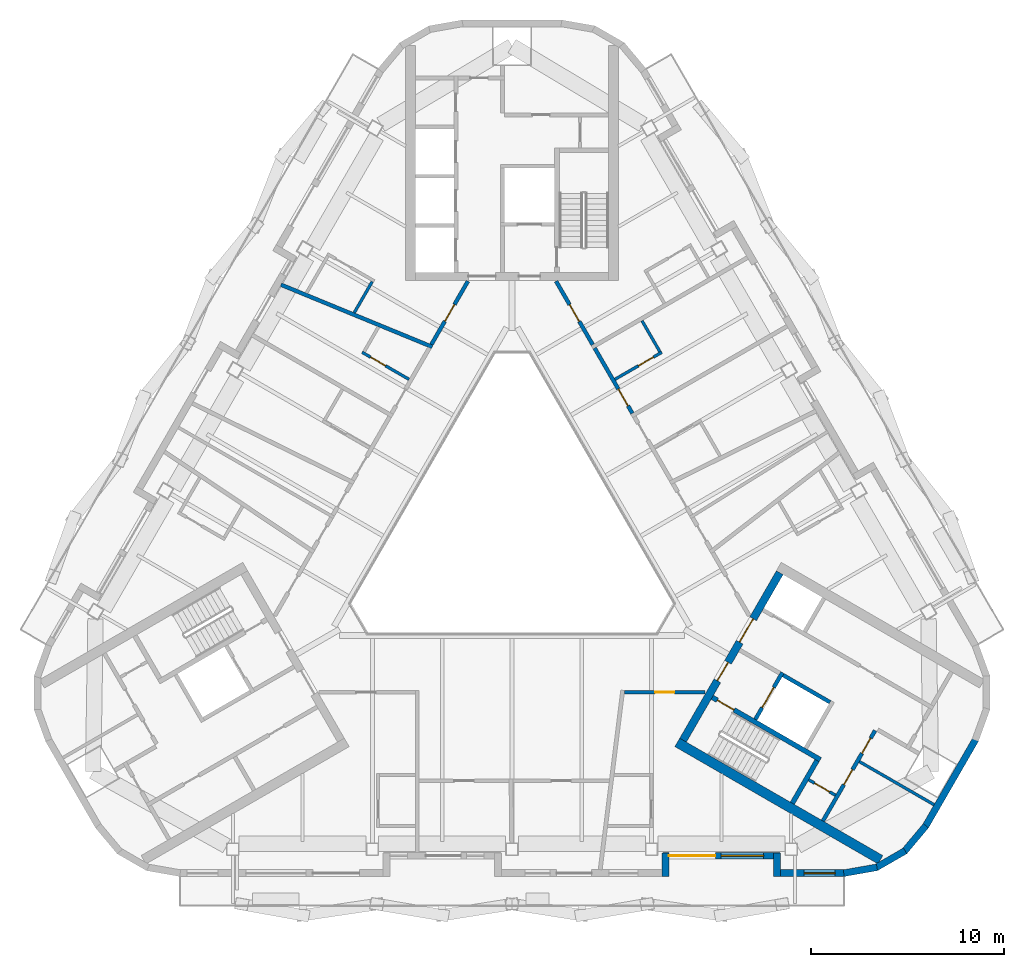
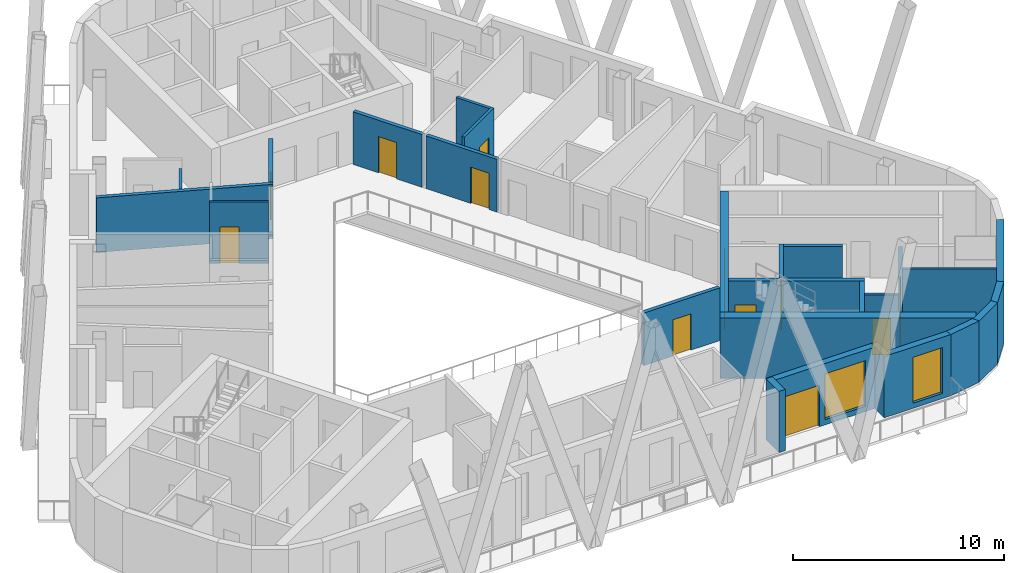
# One storey, part 5 of 13: 26 walls, 14 doors, 2 windows, 16 openings.
"""IFC4 building model written with IfcOpenShell, lengths in metres."""

from ifc_helpers import new_model, si_unit, direction, frame, frame_2d, origin, place, context, subcontext, project, spatial, rectangle, extrude, material, layer, layer_set, type_object, element, fill, save


model = new_model("IFC4")

# Units and contexts
model_context = context("Model", 3, precision=1e-05, world=origin(), true_north=direction((0.0, 1.0)))
body_context = subcontext(model_context, "Body", "Model", "MODEL_VIEW")
ifc_project = project(units=[si_unit("LENGTHUNIT", "METRE"), si_unit("AREAUNIT", "SQUARE_METRE"), si_unit("VOLUMEUNIT", "CUBIC_METRE"), si_unit("PLANEANGLEUNIT", "RADIAN"), si_unit("MASSUNIT", "GRAM", prefix="KILO")], contexts=[model_context])

# Site, building, storey
site_placement = place(None, origin())
site = spatial("IfcSite", under=ifc_project, at=site_placement, CompositionType="ELEMENT")
building_placement = place(site_placement, origin())
building = spatial("IfcBuilding", under=site, at=building_placement, Name="Apuvela Tower Hotel", CompositionType="ELEMENT")
storey_placement = place(building_placement, frame((0.0, 0.0, 280.0)))
storey = spatial("IfcBuildingStorey", under=building, at=storey_placement, Name="L69", CompositionType="ELEMENT", Elevation=280.0)

# Wall, openings, doors
ifc_material_1 = material(Name="Concrete C50/60", Category="concrete")
ifc_layer_1 = layer(ifc_material_1, 0.39990234375)
ifc_layer_set_1 = layer_set([ifc_layer_1], Name="COR-WALL-CORE-400")
wall_type_1 = type_object("IfcWallType", Name="COR-WALL-CORE-400", PredefinedType="SHEAR", material=ifc_layer_set_1)
wall_1_placement = place(storey_placement, frame((8.844970703125, -10.880126953125, 0.0), z_axis=(0.0, 0.0, 1.0), x_axis=(0.500004234368, 0.866022959057, 0.0)))
wall_1 = element("IfcWall", 1, at=wall_1_placement, inside=storey, type_object=wall_type_1, Name="Core wall SE", PredefinedType="SHEAR", context=body_context, shape_type="SweptSolid", body=[
    extrude(rectangle(XDim=10.0, YDim=0.39990234375, at=frame_2d((5.0, 0.0))), origin(), (0.0, 0.0, 1.0), 3.5),
])
opening_1_placement = place(wall_1_placement, frame((3.550048828125, 0.0, 0.0)))
opening_1 = element("IfcOpeningElement", 2, at=opening_1_placement, cuts=wall_1, Name="Opening E-FD", PredefinedType="OPENING", context=body_context, shape_type="SweptSolid", body=[
    extrude(rectangle(XDim=1.10009765625, YDim=2.10009765625, at=frame_2d((0.550048828125, 1.050048828125))), frame((0.0, 0.2099609375, 0.0), z_axis=(0.0, -1.0, 0.0), x_axis=(1.0, 0.0, 0.0)), (0.0, 0.0, 1.0), 0.419921875),
])
opening_2_placement = place(wall_1_placement, frame((5.85009765625, 0.0, 0.0)))
opening_2 = element("IfcOpeningElement", 3, at=opening_2_placement, cuts=wall_1, Name="Opening E-GD", PredefinedType="OPENING", context=body_context, shape_type="SweptSolid", body=[
    extrude(rectangle(XDim=1.39990234375, YDim=2.10009765625, at=frame_2d((0.699951171875, 1.050048828125))), frame((0.0, 0.2099609375, 0.0), z_axis=(0.0, -1.0, 0.0), x_axis=(1.0, 0.0, 0.0)), (0.0, 0.0, 1.0), 0.419921875),
])
ifc_material_2 = material(Name="Steel fire door, powder coated", Category="steel")
door_type_1 = type_object("IfcDoorType", Name="COR-FD-1100", OperationType="NOTDEFINED", PredefinedType="DOOR", material=ifc_material_2)
door_1_placement = place(opening_1_placement, frame((1.10009765625, 0.0, 0.0), z_axis=(0.0, 0.0, 1.0), x_axis=(-1.0, 0.0, 0.0)))
door_1 = element("IfcDoor", 4, at=door_1_placement, inside=storey, type_object=door_type_1, Name="Firefighting lobby door E-FD", OperationType="SINGLE_SWING_LEFT", OverallHeight=2.10009765625, OverallWidth=1.10009765625, PredefinedType="DOOR", context=body_context, shape_type="SweptSolid", body=[
    extrude(rectangle(XDim=1.10009765625, YDim=2.10009765625, at=frame_2d((0.550048828125, 1.050048828125))), frame((0.0, 0.02490234375, 0.0), z_axis=(0.0, -1.0, 0.0), x_axis=(1.0, 0.0, 0.0)), (0.0, 0.0, 1.0), 0.050048828125),
])
fill(opening_1, door_1)
ifc_material_3 = material(Name="Glazed steel fire door", Category="steel")
door_type_2 = type_object("IfcDoorType", Name="COR-GD-1400", OperationType="DOUBLE_DOOR_SINGLE_SWING", PredefinedType="DOOR", material=ifc_material_3)
door_2_placement = place(opening_2_placement, frame((1.39990234375, 0.0, 0.0), z_axis=(0.0, 0.0, 1.0), x_axis=(-1.0, 0.0, 0.0)))
door_2 = element("IfcDoor", 5, at=door_2_placement, inside=storey, type_object=door_type_2, Name="Lift lobby door E-GD", OperationType="DOUBLE_DOOR_SINGLE_SWING", OverallHeight=2.10009765625, OverallWidth=1.39990234375, PredefinedType="DOOR", context=body_context, shape_type="SweptSolid", body=[
    extrude(rectangle(XDim=1.39990234375, YDim=2.10009765625, at=frame_2d((0.699951171875, 1.050048828125))), frame((0.0, 0.02490234375, 0.0), z_axis=(0.0, -1.0, 0.0), x_axis=(1.0, 0.0, 0.0)), (0.0, 0.0, 1.0), 0.050048828125),
])
fill(opening_2, door_2)

# Wall
ifc_layer_2 = layer(ifc_material_1, 0.5)
ifc_layer_set_2 = layer_set([ifc_layer_2], Name="COR-WALL-CORE-500")
wall_type_2 = type_object("IfcWallType", Name="COR-WALL-CORE-500", PredefinedType="SHEAR", material=ifc_layer_set_2)
wall_2_placement = place(storey_placement, frame((8.546630859375, -10.99658203125, 0.0), z_axis=(0.0, 0.0, 1.0), x_axis=(0.866024688907, -0.500001238203, 0.0)))
element("IfcWall", 6, at=wall_2_placement, inside=storey, type_object=wall_type_2, Name="Core wall SE", PredefinedType="SHEAR", context=body_context, shape_type="SweptSolid", body=[
    extrude(rectangle(XDim=12.12890625, YDim=0.5, at=frame_2d((6.064453125, 0.0))), origin(), (0.0, 0.0, 1.0), 3.5),
])

# Wall, opening, door
ifc_material_4 = material(Name="Blockwork 150 mm plastered", Category="masonry")
ifc_layer_3 = layer(ifc_material_4, 0.14990234375)
ifc_layer_set_3 = layer_set([ifc_layer_3], Name="COR-WALL-PART-150")
wall_type_3 = type_object("IfcWallType", Name="COR-WALL-PART-150", PredefinedType="PARTITIONING", material=ifc_layer_set_3)
wall_3_placement = place(storey_placement, frame((15.341552734375, -12.927734375, 0.0), z_axis=(0.0, 0.0, 1.0), x_axis=(0.865989903783, -0.500061482766, 0.0)))
wall_3 = element("IfcWall", 7, at=wall_3_placement, inside=storey, type_object=wall_type_3, Name="Partition SE", PredefinedType="PARTITIONING", context=body_context, shape_type="SweptSolid", body=[
    extrude(rectangle(XDim=1.599853515625, YDim=0.14990234375, at=frame_2d((0.7998046875, 0.0))), origin(), (0.0, 0.0, 1.0), 3.5),
])
opening_3_placement = place(wall_3_placement, frame((0.35009765625, 0.0, 0.0)))
opening_3 = element("IfcOpeningElement", 8, at=opening_3_placement, cuts=wall_3, Name="Opening E-RD", PredefinedType="OPENING", context=body_context, shape_type="SweptSolid", body=[
    extrude(rectangle(XDim=0.89990234375, YDim=2.10009765625, at=frame_2d((0.449951171875, 1.050048828125))), frame((0.0, 0.0849609375, 0.0), z_axis=(0.0, -1.0, 0.0), x_axis=(1.0, 0.0, 0.0)), (0.0, 0.0, 1.0), 0.169921875),
])
ifc_material_5 = material(Name="Steel access door, powder coated", Category="steel")
door_type_3 = type_object("IfcDoorType", Name="COR-RD-900", OperationType="NOTDEFINED", PredefinedType="DOOR", material=ifc_material_5)
door_3_placement = place(opening_3_placement, frame((0.89990234375, 0.0, 0.0), z_axis=(0.0, 0.0, 1.0), x_axis=(-1.0, 0.0, 0.0)))
door_3 = element("IfcDoor", 9, at=door_3_placement, inside=storey, type_object=door_type_3, Name="Riser door E-RD", OperationType="SINGLE_SWING_LEFT", OverallHeight=2.10009765625, OverallWidth=0.89990234375, PredefinedType="DOOR", context=body_context, shape_type="SweptSolid", body=[
    extrude(rectangle(XDim=0.89990234375, YDim=2.10009765625, at=frame_2d((0.449951171875, 1.050048828125))), frame((0.0, 0.02490234375, 0.0), z_axis=(0.0, -1.0, 0.0), x_axis=(1.0, 0.0, 0.0)), (0.0, 0.0, 1.0), 0.050048828125),
])
fill(opening_3, door_3)

# Wall
wall_4_placement = place(storey_placement, frame((17.962890625, -11.9873046875, 0.0), z_axis=(0.0, 0.0, 1.0), x_axis=(0.866010510293, -0.500025795397, 0.0)))
element("IfcWall", 10, at=wall_4_placement, inside=storey, type_object=wall_type_3, Name="Partition SE", PredefinedType="PARTITIONING", context=body_context, shape_type="SweptSolid", body=[
    extrude(rectangle(XDim=4.458740234375, YDim=0.14990234375, at=frame_2d((2.2294921875, 0.0))), origin(), (0.0, 0.0, 1.0), 3.5),
])

# Wall, openings, doors
ifc_material_6 = material(Name="Blockwork 200 mm plastered", Category="masonry")
ifc_layer_4 = layer(ifc_material_6, 0.199951171875)
ifc_layer_set_4 = layer_set([ifc_layer_4], Name="COR-WALL-PART-200")
wall_type_4 = type_object("IfcWallType", Name="COR-WALL-PART-200", PredefinedType="PARTITIONING", material=ifc_layer_set_4)
wall_5_placement = place(storey_placement, frame((16.076171875, -15.05517578125, 0.0), z_axis=(0.0, 0.0, 1.0), x_axis=(0.499995103361, 0.866028230842, 0.0)))
wall_5 = element("IfcWall", 11, at=wall_5_placement, inside=storey, type_object=wall_type_4, Name="Partition SE", PredefinedType="PARTITIONING", context=body_context, shape_type="SweptSolid", body=[
    extrude(rectangle(XDim=5.39990234375, YDim=0.199951171875, at=frame_2d((2.699951171875, 0.0))), origin(), (0.0, 0.0, 1.0), 3.5),
])
opening_4_placement = place(wall_5_placement, frame((2.16259765625, 0.0, 0.0)))
opening_4 = element("IfcOpeningElement", 12, at=opening_4_placement, cuts=wall_5, Name="Opening E-RS1", PredefinedType="OPENING", context=body_context, shape_type="SweptSolid", body=[
    extrude(rectangle(XDim=0.89990234375, YDim=2.10009765625, at=frame_2d((0.449951171875, 1.050048828125))), frame((0.0, 0.10986328125, 0.0), z_axis=(0.0, -1.0, 0.0), x_axis=(1.0, 0.0, 0.0)), (0.0, 0.0, 1.0), 0.219970703125),
])
opening_5_placement = place(wall_5_placement, frame((4.03759765625, 0.0, 0.0)))
opening_5 = element("IfcOpeningElement", 13, at=opening_5_placement, cuts=wall_5, Name="Opening E-RS2", PredefinedType="OPENING", context=body_context, shape_type="SweptSolid", body=[
    extrude(rectangle(XDim=0.89990234375, YDim=2.10009765625, at=frame_2d((0.449951171875, 1.050048828125))), frame((0.0, 0.10986328125, 0.0), z_axis=(0.0, -1.0, 0.0), x_axis=(1.0, 0.0, 0.0)), (0.0, 0.0, 1.0), 0.219970703125),
])
door_type_4 = type_object("IfcDoorType", Name="COR-DR-900", OperationType="NOTDEFINED", PredefinedType="DOOR", material=ifc_material_2)
door_4_placement = place(opening_4_placement, frame((0.89990234375, 0.0, 0.0), z_axis=(0.0, 0.0, 1.0), x_axis=(-1.0, 0.0, 0.0)))
door_4 = element("IfcDoor", 14, at=door_4_placement, inside=storey, type_object=door_type_4, Name="Store door E-RS1", OperationType="SINGLE_SWING_LEFT", OverallHeight=2.10009765625, OverallWidth=0.89990234375, PredefinedType="DOOR", context=body_context, shape_type="SweptSolid", body=[
    extrude(rectangle(XDim=0.89990234375, YDim=2.10009765625, at=frame_2d((0.449951171875, 1.050048828125))), frame((0.0, 0.02490234375, 0.0), z_axis=(0.0, -1.0, 0.0), x_axis=(1.0, 0.0, 0.0)), (0.0, 0.0, 1.0), 0.050048828125),
])
fill(opening_4, door_4)
door_5_placement = place(opening_5_placement, frame((0.89990234375, 0.0, 0.0), z_axis=(0.0, 0.0, 1.0), x_axis=(-1.0, 0.0, 0.0)))
door_5 = element("IfcDoor", 15, at=door_5_placement, inside=storey, type_object=door_type_4, Name="Store door E-RS2", OperationType="SINGLE_SWING_LEFT", OverallHeight=2.10009765625, OverallWidth=0.89990234375, PredefinedType="DOOR", context=body_context, shape_type="SweptSolid", body=[
    extrude(rectangle(XDim=0.89990234375, YDim=2.10009765625, at=frame_2d((0.449951171875, 1.050048828125))), frame((0.0, 0.02490234375, 0.0), z_axis=(0.0, -1.0, 0.0), x_axis=(1.0, 0.0, 0.0)), (0.0, 0.0, 1.0), 0.050048828125),
])
fill(opening_5, door_5)

# Wall, opening, door
ifc_layer_5 = layer(ifc_material_1, 0.199951171875)
ifc_layer_set_5 = layer_set([ifc_layer_5], Name="COR-WALL-SHAFT-200")
wall_type_5 = type_object("IfcWallType", Name="COR-WALL-SHAFT-200", PredefinedType="SHEAR", material=ifc_layer_set_5)
wall_6_placement = place(storey_placement, frame((12.583251953125, -9.805419921875, 0.0), z_axis=(0.0, 0.0, 1.0), x_axis=(0.49994636267, 0.866056369097, 0.0)))
wall_6 = element("IfcWall", 16, at=wall_6_placement, inside=storey, type_object=wall_type_5, Name="Shaft wall SE", PredefinedType="SHEAR", context=body_context, shape_type="SweptSolid", body=[
    extrude(rectangle(XDim=2.800048828125, YDim=0.199951171875, at=frame_2d((1.39990234375, 0.0))), origin(), (0.0, 0.0, 1.0), 3.5),
])
opening_6_placement = place(wall_6_placement, frame((0.699951171875, 0.0, 0.0)))
opening_6 = element("IfcOpeningElement", 17, at=opening_6_placement, cuts=wall_6, Name="Opening E-LD-FS3", PredefinedType="OPENING", context=body_context, shape_type="SweptSolid", body=[
    extrude(rectangle(XDim=1.199951171875, YDim=2.10009765625, at=frame_2d((0.60009765625, 1.050048828125))), frame((0.0, 0.10986328125, 0.0), z_axis=(0.0, -1.0, 0.0), x_axis=(1.0, 0.0, 0.0)), (0.0, 0.0, 1.0), 0.219970703125),
])
ifc_material_7 = material(Name="Stainless steel lift landing door", Category="steel")
door_type_5 = type_object("IfcDoorType", Name="COR-LD-1200", OperationType="DOUBLE_DOOR_SLIDING", PredefinedType="DOOR", material=ifc_material_7)
door_6_placement = place(opening_6_placement, origin())
door_6 = element("IfcDoor", 18, at=door_6_placement, inside=storey, type_object=door_type_5, Name="Lift landing door E-LD-FS3", OperationType="DOUBLE_DOOR_SLIDING", OverallHeight=2.10009765625, OverallWidth=1.199951171875, PredefinedType="DOOR", context=body_context, shape_type="SweptSolid", body=[
    extrude(rectangle(XDim=1.199951171875, YDim=2.10009765625, at=frame_2d((0.60009765625, 1.050048828125))), frame((0.0, 0.02490234375, 0.0), z_axis=(0.0, -1.0, 0.0), x_axis=(1.0, 0.0, 0.0)), (0.0, 0.0, 1.0), 0.050048828125),
])
fill(opening_6, door_6)

# Wall
wall_7_placement = place(storey_placement, frame((14.019775390625, -7.51708984375, 0.0), z_axis=(0.0, 0.0, 1.0), x_axis=(0.866034573852, -0.49998411664, 0.0)))
element("IfcWall", 19, at=wall_7_placement, inside=storey, type_object=wall_type_5, Name="Shaft wall SE", PredefinedType="SHEAR", context=body_context, shape_type="SweptSolid", body=[
    extrude(rectangle(XDim=2.7998046875, YDim=0.199951171875, at=frame_2d((1.39990234375, 0.0))), origin(), (0.0, 0.0, 1.0), 3.5),
])

# Wall, opening, door
ifc_layer_6 = layer(ifc_material_1, 0.25)
ifc_layer_set_6 = layer_set([ifc_layer_6], Name="COR-WALL-STAIR-250")
wall_type_6 = type_object("IfcWallType", Name="COR-WALL-STAIR-250", PredefinedType="SHEAR", material=ifc_layer_set_6)
wall_8_placement = place(storey_placement, frame((10.355712890625, -8.66357421875, 0.0), z_axis=(0.0, 0.0, 1.0), x_axis=(0.866028629588, -0.499994412703, 0.0)))
wall_8 = element("IfcWall", 20, at=wall_8_placement, inside=storey, type_object=wall_type_6, Name="Stair wall SE", PredefinedType="SHEAR", context=body_context, shape_type="SweptSolid", body=[
    extrude(rectangle(XDim=6.44970703125, YDim=0.25, at=frame_2d((3.224853515625, 0.0))), origin(), (0.0, 0.0, 1.0), 3.5),
])
opening_7_placement = place(wall_8_placement, frame((0.300048828125, 0.0, 0.0)))
opening_7 = element("IfcOpeningElement", 21, at=opening_7_placement, cuts=wall_8, Name="Opening E-SD", PredefinedType="OPENING", context=body_context, shape_type="SweptSolid", body=[
    extrude(rectangle(XDim=1.0, YDim=2.10009765625, at=frame_2d((0.5, 1.050048828125))), frame((0.0, 0.135009765625, 0.0), z_axis=(0.0, -1.0, 0.0), x_axis=(1.0, 0.0, 0.0)), (0.0, 0.0, 1.0), 0.27001953125),
])
door_type_6 = type_object("IfcDoorType", Name="COR-SD-1000", OperationType="NOTDEFINED", PredefinedType="DOOR", material=ifc_material_2)
door_7_placement = place(opening_7_placement, frame((1.0, 0.0, 0.0), z_axis=(0.0, 0.0, 1.0), x_axis=(-1.0, 0.0, 0.0)))
door_7 = element("IfcDoor", 22, at=door_7_placement, inside=storey, type_object=door_type_6, Name="Stair door E-SD", OperationType="SINGLE_SWING_LEFT", OverallHeight=2.10009765625, OverallWidth=1.0, PredefinedType="DOOR", context=body_context, shape_type="SweptSolid", body=[
    extrude(rectangle(XDim=1.0, YDim=2.10009765625, at=frame_2d((0.5, 1.050048828125))), frame((0.0, 0.02490234375, 0.0), z_axis=(0.0, -1.0, 0.0), x_axis=(1.0, 0.0, 0.0)), (0.0, 0.0, 1.0), 0.050048828125),
])
fill(opening_7, door_7)

# Walls
wall_9_placement = place(storey_placement, frame((14.49560546875, -14.142578125, 0.0), z_axis=(0.0, 0.0, 1.0), x_axis=(0.500062241894, 0.865989465428, 0.0)))
element("IfcWall", 23, at=wall_9_placement, inside=storey, type_object=wall_type_6, Name="Stair wall SE", PredefinedType="SHEAR", context=body_context, shape_type="SweptSolid", body=[
    extrude(rectangle(XDim=2.550048828125, YDim=0.25, at=frame_2d((1.27490234375, 0.0))), origin(), (0.0, 0.0, 1.0), 3.5),
])
ifc_material_8 = material(Name="Concrete C40/50, dark pigmented precast panel", Category="concrete")
ifc_layer_7 = layer(ifc_material_8, 0.35009765625)
ifc_layer_set_7 = layer_set([ifc_layer_7], Name="ENV-WALL-350")
wall_type_7 = type_object("IfcWallType", Name="ENV-WALL-350", PredefinedType="SOLIDWALL", material=ifc_layer_set_7)
wall_10_placement = place(storey_placement, frame((7.9404296875, -17.9287109375, 0.0), z_axis=(0.0, 0.0, 1.0), x_axis=(0.0, 1.0, 0.0)))
element("IfcWall", 24, at=wall_10_placement, inside=storey, type_object=wall_type_7, Name="External wall L69-22", PredefinedType="SOLIDWALL", context=body_context, shape_type="SweptSolid", body=[
    extrude(rectangle(XDim=1.219970703125, YDim=0.35009765625, at=frame_2d((0.60986328125, 0.0))), origin(), (0.0, 0.0, 1.0), 3.550048828125),
])

# Wall, openings, door, window
wall_11_placement = place(storey_placement, frame((7.79541015625, -16.853759765625, 0.0), z_axis=(0.0, 0.0, 1.0), x_axis=(1.0, 0.0, 0.0)))
wall_11 = element("IfcWall", 25, at=wall_11_placement, inside=storey, type_object=wall_type_7, Name="External wall L69-23", PredefinedType="SOLIDWALL", context=body_context, shape_type="SweptSolid", body=[
    extrude(rectangle(XDim=6.05517578125, YDim=0.35009765625, at=frame_2d((3.027587890625, 0.0))), origin(), (0.0, 0.0, 1.0), 3.550048828125),
])
opening_8_placement = place(wall_11_placement, frame((0.3203125, 0.0, 0.0)))
opening_8 = element("IfcOpeningElement", 26, at=opening_8_placement, cuts=wall_11, Name="Opening BD24", PredefinedType="OPENING", context=body_context, shape_type="SweptSolid", body=[
    extrude(rectangle(XDim=2.39990234375, YDim=2.39990234375, at=frame_2d((1.199951171875, 1.199951171875))), frame((0.0, 0.18505859375, 0.0), z_axis=(0.0, -1.0, 0.0), x_axis=(1.0, 0.0, 0.0)), (0.0, 0.0, 1.0), 0.3701171875),
])
opening_9_placement = place(wall_11_placement, frame((3.020263671875, 0.0, 0.300048828125)))
opening_9 = element("IfcOpeningElement", 27, at=opening_9_placement, cuts=wall_11, Name="Opening WN22", PredefinedType="OPENING", context=body_context, shape_type="SweptSolid", body=[
    extrude(rectangle(XDim=2.199951171875, YDim=2.64990234375, at=frame_2d((1.10009765625, 1.324951171875))), frame((0.0, 0.18505859375, 0.0), z_axis=(0.0, -1.0, 0.0), x_axis=(1.0, 0.0, 0.0)), (0.0, 0.0, 1.0), 0.3701171875),
])
ifc_material_9 = material(Name="Aluminium 6063-T6, dark bronze anodised frame with dark tinted laminated glass", Category="aluminium")
door_type_7 = type_object("IfcDoorType", Name="ENV-DOOR-BALCONY-2400x2400", OperationType="SLIDING_TO_LEFT", PredefinedType="DOOR", material=ifc_material_9)
door_8_placement = place(opening_8_placement, frame((2.39990234375, 0.0, 0.0), z_axis=(0.0, 0.0, 1.0), x_axis=(-1.0, 0.0, 0.0)))
door_8 = element("IfcDoor", 28, at=door_8_placement, inside=storey, type_object=door_type_7, Name="Balcony door BD24", OperationType="SLIDING_TO_LEFT", OverallHeight=2.39990234375, OverallWidth=2.39990234375, PredefinedType="DOOR", context=body_context, shape_type="SweptSolid", body=[
    extrude(rectangle(XDim=2.39990234375, YDim=2.39990234375, at=frame_2d((1.199951171875, 1.199951171875))), frame((0.0, 0.02490234375, 0.0), z_axis=(0.0, -1.0, 0.0), x_axis=(1.0, 0.0, 0.0)), (0.0, 0.0, 1.0), 0.050048828125),
])
fill(opening_8, door_8)
ifc_material_10 = material(Name="Glass, dark tinted laminated insulated glazing unit", Category="glass")
window_type_1 = type_object("IfcWindowType", Name="ENV-WIN-2200x2650", PartitioningType="SINGLE_PANEL", PredefinedType="WINDOW", material=ifc_material_10)
window_1_placement = place(opening_9_placement, origin())
window_1 = element("IfcWindow", 29, at=window_1_placement, inside=storey, type_object=window_type_1, Name="Window WN22", OverallHeight=2.64990234375, OverallWidth=2.199951171875, PartitioningType="SINGLE_PANEL", PredefinedType="WINDOW", context=body_context, shape_type="SweptSolid", body=[
    extrude(rectangle(XDim=2.199951171875, YDim=2.64990234375, at=frame_2d((1.10009765625, 1.324951171875))), frame((0.0, 0.030029296875, 0.0), z_axis=(0.0, -1.0, 0.0), x_axis=(1.0, 0.0, 0.0)), (0.0, 0.0, 1.0), 0.06005859375),
])
fill(opening_9, window_1)

# Wall
wall_12_placement = place(storey_placement, frame((13.705810546875, -16.708740234375, 0.0), z_axis=(0.0, 0.0, 1.0), x_axis=(0.0, -1.0, 0.0)))
element("IfcWall", 30, at=wall_12_placement, inside=storey, type_object=wall_type_7, Name="External wall L69-24", PredefinedType="SOLIDWALL", context=body_context, shape_type="SweptSolid", body=[
    extrude(rectangle(XDim=1.219970703125, YDim=0.35009765625, at=frame_2d((0.60986328125, 0.0))), origin(), (0.0, 0.0, 1.0), 3.550048828125),
])

# Wall, opening, window
wall_13_placement = place(storey_placement, frame((13.53076171875, -17.753662109375, 0.0), z_axis=(0.0, 0.0, 1.0), x_axis=(1.0, 0.0, 0.0)))
wall_13 = element("IfcWall", 31, at=wall_13_placement, inside=storey, type_object=wall_type_7, Name="External wall L69-25", PredefinedType="SOLIDWALL", context=body_context, shape_type="SweptSolid", body=[
    extrude(rectangle(XDim=3.654296875, YDim=0.35009765625, at=frame_2d((1.8271484375, 0.0))), origin(), (0.0, 0.0, 1.0), 3.550048828125),
])
opening_10_placement = place(wall_13_placement, frame((1.5751953125, 0.0, 0.300048828125)))
opening_10 = element("IfcOpeningElement", 32, at=opening_10_placement, cuts=wall_13, Name="Opening WN16", PredefinedType="OPENING", context=body_context, shape_type="SweptSolid", body=[
    extrude(rectangle(XDim=1.60009765625, YDim=2.64990234375, at=frame_2d((0.800048828125, 1.324951171875))), frame((0.0, 0.18505859375, 0.0), z_axis=(0.0, -1.0, 0.0), x_axis=(1.0, 0.0, 0.0)), (0.0, 0.0, 1.0), 0.3701171875),
])
window_type_2 = type_object("IfcWindowType", Name="ENV-WIN-1600x2650", PartitioningType="SINGLE_PANEL", PredefinedType="WINDOW", material=ifc_material_10)
window_2_placement = place(opening_10_placement, origin())
window_2 = element("IfcWindow", 33, at=window_2_placement, inside=storey, type_object=window_type_2, Name="Window WN16", OverallHeight=2.64990234375, OverallWidth=1.60009765625, PartitioningType="SINGLE_PANEL", PredefinedType="WINDOW", context=body_context, shape_type="SweptSolid", body=[
    extrude(rectangle(XDim=1.60009765625, YDim=2.64990234375, at=frame_2d((0.800048828125, 1.324951171875))), frame((0.0, 0.030029296875, 0.0), z_axis=(0.0, -1.0, 0.0), x_axis=(1.0, 0.0, 0.0)), (0.0, 0.0, 1.0), 0.06005859375),
])
fill(opening_10, window_2)

# Walls
for number, where, z_axis, x_axis, name in (
    (34, (17.15478515625, -17.75634765625, 0.0), (0.0, 0.0, 1.0), (0.984803276474, 0.173673563465, 0.0), "External wall L69-26"),
    (35, (18.815673828125, -17.47412109375, 0.0), (0.0, 0.0, 1.0), (0.86609937154, 0.499871862198, 0.0), "External wall L69-27"),
    (36, (20.280029296875, -16.64111328125, 0.0), (0.0, 0.0, 1.0), (0.642768607723, 0.766060387258, 0.0), "External wall L69-28"),
):
    element("IfcWall", number, at=place(storey_placement, frame(where, z_axis=z_axis, x_axis=x_axis)), inside=storey, type_object=wall_type_7, Name=name, PredefinedType="SOLIDWALL", context=body_context, shape_type="SweptSolid", body=[
        extrude(rectangle(XDim=1.74462890625, YDim=0.35009765625, at=frame_2d((0.872314453125, 0.0))), origin(), (0.0, 0.0, 1.0), 3.550048828125),
    ])
wall_14_placement = place(storey_placement, frame((21.3837890625, -15.32958984375, 0.0), z_axis=(0.0, 0.0, 1.0), x_axis=(0.500020983425, 0.866013288659, 0.0)))
element("IfcWall", 37, at=wall_14_placement, inside=storey, type_object=wall_type_7, Name="External wall L69-29", PredefinedType="SOLIDWALL", context=body_context, shape_type="SweptSolid", body=[
    extrude(rectangle(XDim=5.167724609375, YDim=0.35009765625, at=frame_2d((2.583984375, 0.0))), origin(), (0.0, 0.0, 1.0), 3.550048828125),
])
ifc_material_11 = material(Name="Gypsum board partition on twin steel stud", Category="steel")
ifc_layer_8 = layer(ifc_material_11, 0.199951171875)
ifc_layer_set_8 = layer_set([ifc_layer_8], Name="GST-PW1")
wall_type_8 = type_object("IfcWallType", Name="GST-PW1", PredefinedType="PARTITIONING", material=ifc_layer_set_8)
wall_15_placement = place(storey_placement, frame((-11.943603515625, 12.67041015625, 0.0), z_axis=(0.0, 0.0, 1.0), x_axis=(0.924897439871, -0.380216682591, 0.0)))
element("IfcWall", 38, at=wall_15_placement, inside=storey, type_object=wall_type_8, Name="L69 partition 08", PredefinedType="PARTITIONING", context=body_context, shape_type="SweptSolid", body=[
    extrude(rectangle(XDim=8.4541015625, YDim=0.199951171875, at=frame_2d((4.22705078125, 0.0))), origin(), (0.0, 0.0, 1.0), 3.159912109375),
])

# Wall, opening, door
ifc_material_12 = material(Name="Gypsum board corridor wall on twin steel stud, acoustic", Category="steel")
ifc_layer_9 = layer(ifc_material_12, 0.199951171875)
ifc_layer_set_9 = layer_set([ifc_layer_9], Name="GST-PW2")
wall_type_9 = type_object("IfcWallType", Name="GST-PW2", PredefinedType="PARTITIONING", material=ifc_layer_set_9)
wall_16_placement = place(storey_placement, frame((9.98828125, -8.39990234375, 0.0), z_axis=(0.0, 0.0, 1.0), x_axis=(-1.0, 0.0, 0.0)))
wall_16 = element("IfcWall", 39, at=wall_16_placement, inside=storey, type_object=wall_type_9, Name="L69 partition 18", PredefinedType="PARTITIONING", context=body_context, shape_type="SweptSolid", body=[
    extrude(rectangle(XDim=4.175048828125, YDim=0.199951171875, at=frame_2d((2.08740234375, 0.0))), origin(), (0.0, 0.0, 1.0), 3.050048828125),
])
opening_11_placement = place(wall_16_placement, frame((1.58740234375, 0.0, 0.0)))
opening_11 = element("IfcOpeningElement", 40, at=opening_11_placement, cuts=wall_16, Name="Opening GD28-06", PredefinedType="OPENING", context=body_context, shape_type="SweptSolid", body=[
    extrude(rectangle(XDim=1.0, YDim=2.10009765625, at=frame_2d((0.5, 1.050048828125))), frame((0.0, 0.10986328125, 0.0), z_axis=(0.0, -1.0, 0.0), x_axis=(1.0, 0.0, 0.0)), (0.0, 0.0, 1.0), 0.219970703125),
])
ifc_material_13 = material(Name="Timber door leaf in steel frame", Category="steel")
door_type_8 = type_object("IfcDoorType", Name="GST-D1", OperationType="NOTDEFINED", PredefinedType="DOOR", material=ifc_material_13)
door_9_placement = place(opening_11_placement, origin())
door_9 = element("IfcDoor", 41, at=door_9_placement, inside=storey, type_object=door_type_8, Name="Door L69-06", OperationType="SINGLE_SWING_RIGHT", OverallHeight=2.10009765625, OverallWidth=1.0, PredefinedType="DOOR", context=body_context, shape_type="SweptSolid", body=[
    extrude(rectangle(XDim=1.0, YDim=2.10009765625, at=frame_2d((0.5, 1.050048828125))), frame((0.0, 0.02490234375, 0.0), z_axis=(0.0, -1.0, 0.0), x_axis=(1.0, 0.0, 0.0)), (0.0, 0.0, 1.0), 0.050048828125),
])
fill(opening_11, door_9)

wall_17_placement = place(storey_placement, frame((4.274658203125, 9.396240234375, 0.0), z_axis=(0.0, 0.0, 1.0), x_axis=(0.499997012787, -0.866027128446, 0.0)))
wall_17 = element("IfcWall", 42, at=wall_17_placement, inside=storey, type_object=wall_type_9, Name="L69 partition 32", PredefinedType="PARTITIONING", context=body_context, shape_type="SweptSolid", body=[
    extrude(rectangle(XDim=3.89990234375, YDim=0.199951171875, at=frame_2d((1.949951171875, 0.0))), origin(), (0.0, 0.0, 1.0), 3.050048828125),
])
opening_12_placement = place(wall_17_placement, frame((2.449951171875, 0.0, 0.0)))
opening_12 = element("IfcOpeningElement", 43, at=opening_12_placement, cuts=wall_17, Name="Opening GD28-14", PredefinedType="OPENING", context=body_context, shape_type="SweptSolid", body=[
    extrude(rectangle(XDim=1.0, YDim=2.10009765625, at=frame_2d((0.5, 1.050048828125))), frame((0.0, 0.10986328125, 0.0), z_axis=(0.0, -1.0, 0.0), x_axis=(1.0, 0.0, 0.0)), (0.0, 0.0, 1.0), 0.219970703125),
])
door_10_placement = place(opening_12_placement, origin())
door_10 = element("IfcDoor", 44, at=door_10_placement, inside=storey, type_object=door_type_8, Name="Door L69-14", OperationType="SINGLE_SWING_RIGHT", OverallHeight=2.10009765625, OverallWidth=1.0, PredefinedType="DOOR", context=body_context, shape_type="SweptSolid", body=[
    extrude(rectangle(XDim=1.0, YDim=2.10009765625, at=frame_2d((0.5, 1.050048828125))), frame((0.0, 0.02490234375, 0.0), z_axis=(0.0, -1.0, 0.0), x_axis=(1.0, 0.0, 0.0)), (0.0, 0.0, 1.0), 0.050048828125),
])
fill(opening_12, door_10)

wall_18_placement = place(storey_placement, frame((2.280517578125, 12.85009765625, 0.0), z_axis=(0.0, 0.0, 1.0), x_axis=(0.499979074716, -0.866037484666, 0.0)))
wall_18 = element("IfcWall", 45, at=wall_18_placement, inside=storey, type_object=wall_type_9, Name="L69 partition 35", PredefinedType="PARTITIONING", context=body_context, shape_type="SweptSolid", body=[
    extrude(rectangle(XDim=3.788330078125, YDim=0.199951171875, at=frame_2d((1.89404296875, 0.0))), origin(), (0.0, 0.0, 1.0), 3.050048828125),
])
opening_13_placement = place(wall_18_placement, frame((1.39404296875, 0.0, 0.0)))
opening_13 = element("IfcOpeningElement", 46, at=opening_13_placement, cuts=wall_18, Name="Opening GD28-16", PredefinedType="OPENING", context=body_context, shape_type="SweptSolid", body=[
    extrude(rectangle(XDim=1.0, YDim=2.10009765625, at=frame_2d((0.5, 1.050048828125))), frame((0.0, 0.10986328125, 0.0), z_axis=(0.0, -1.0, 0.0), x_axis=(1.0, 0.0, 0.0)), (0.0, 0.0, 1.0), 0.219970703125),
])
door_11_placement = place(opening_13_placement, origin())
door_11 = element("IfcDoor", 47, at=door_11_placement, inside=storey, type_object=door_type_8, Name="Door L69-16", OperationType="SINGLE_SWING_RIGHT", OverallHeight=2.10009765625, OverallWidth=1.0, PredefinedType="DOOR", context=body_context, shape_type="SweptSolid", body=[
    extrude(rectangle(XDim=1.0, YDim=2.10009765625, at=frame_2d((0.5, 1.050048828125))), frame((0.0, 0.02490234375, 0.0), z_axis=(0.0, -1.0, 0.0), x_axis=(1.0, 0.0, 0.0)), (0.0, 0.0, 1.0), 0.050048828125),
])
fill(opening_13, door_11)

wall_19_placement = place(storey_placement, frame((-4.16748046875, 9.581787109375, 0.0), z_axis=(0.0, 0.0, 1.0), x_axis=(0.500000579621, 0.86602506914, 0.0)))
wall_19 = element("IfcWall", 48, at=wall_19_placement, inside=storey, type_object=wall_type_9, Name="L69 partition 39", PredefinedType="PARTITIONING", context=body_context, shape_type="SweptSolid", body=[
    extrude(rectangle(XDim=3.77392578125, YDim=0.199951171875, at=frame_2d((1.886962890625, 0.0))), origin(), (0.0, 0.0, 1.0), 3.050048828125),
])
opening_14_placement = place(wall_19_placement, frame((1.386962890625, 0.0, 0.0)))
opening_14 = element("IfcOpeningElement", 49, at=opening_14_placement, cuts=wall_19, Name="Opening GD28-18", PredefinedType="OPENING", context=body_context, shape_type="SweptSolid", body=[
    extrude(rectangle(XDim=1.0, YDim=2.10009765625, at=frame_2d((0.5, 1.050048828125))), frame((0.0, 0.10986328125, 0.0), z_axis=(0.0, -1.0, 0.0), x_axis=(1.0, 0.0, 0.0)), (0.0, 0.0, 1.0), 0.219970703125),
])
door_12_placement = place(opening_14_placement, origin())
door_12 = element("IfcDoor", 50, at=door_12_placement, inside=storey, type_object=door_type_8, Name="Door L69-18", OperationType="SINGLE_SWING_LEFT", OverallHeight=2.10009765625, OverallWidth=1.0, PredefinedType="DOOR", context=body_context, shape_type="SweptSolid", body=[
    extrude(rectangle(XDim=1.0, YDim=2.10009765625, at=frame_2d((0.5, 1.050048828125))), frame((0.0, 0.02490234375, 0.0), z_axis=(0.0, -1.0, 0.0), x_axis=(1.0, 0.0, 0.0)), (0.0, 0.0, 1.0), 0.050048828125),
])
fill(opening_14, door_12)

ifc_material_14 = material(Name="Moisture-resistant gypsum board wet wall on steel stud", Category="steel")
ifc_layer_10 = layer(ifc_material_14, 0.14990234375)
ifc_layer_set_10 = layer_set([ifc_layer_10], Name="GST-PW3")
wall_type_10 = type_object("IfcWallType", Name="GST-PW3", PredefinedType="PARTITIONING", material=ifc_layer_set_10)
wall_20_placement = place(storey_placement, frame((5.32373046875, 7.779052734375, 0.0), z_axis=(0.0, 0.0, 1.0), x_axis=(0.865996816683, 0.500049511043, 0.0)))
wall_20 = element("IfcWall", 51, at=wall_20_placement, inside=storey, type_object=wall_type_10, Name="L69 partition 33", PredefinedType="PARTITIONING", context=body_context, shape_type="SweptSolid", body=[
    extrude(rectangle(XDim=2.800048828125, YDim=0.14990234375, at=frame_2d((1.39990234375, 0.0))), origin(), (0.0, 0.0, 1.0), 3.550048828125),
])
opening_15_placement = place(wall_20_placement, frame((1.39990234375, 0.0, 0.0)))
opening_15 = element("IfcOpeningElement", 52, at=opening_15_placement, cuts=wall_20, Name="Opening GD28-13", PredefinedType="OPENING", context=body_context, shape_type="SweptSolid", body=[
    extrude(rectangle(XDim=0.89990234375, YDim=2.10009765625, at=frame_2d((0.449951171875, 1.050048828125))), frame((0.0, 0.0849609375, 0.0), z_axis=(0.0, -1.0, 0.0), x_axis=(1.0, 0.0, 0.0)), (0.0, 0.0, 1.0), 0.169921875),
])
door_type_9 = type_object("IfcDoorType", Name="GST-D2", OperationType="NOTDEFINED", PredefinedType="DOOR", material=ifc_material_13)
door_13_placement = place(opening_15_placement, origin())
door_13 = element("IfcDoor", 53, at=door_13_placement, inside=storey, type_object=door_type_9, Name="Door L69-13", OperationType="SINGLE_SWING_RIGHT", OverallHeight=2.10009765625, OverallWidth=0.89990234375, PredefinedType="DOOR", context=body_context, shape_type="SweptSolid", body=[
    extrude(rectangle(XDim=0.89990234375, YDim=2.10009765625, at=frame_2d((0.449951171875, 1.050048828125))), frame((0.0, 0.02490234375, 0.0), z_axis=(0.0, -1.0, 0.0), x_axis=(1.0, 0.0, 0.0)), (0.0, 0.0, 1.0), 0.050048828125),
])
fill(opening_15, door_13)

# Walls
wall_21_placement = place(storey_placement, frame((7.64599609375, 9.20654296875, 0.0), z_axis=(0.0, 0.0, 1.0), x_axis=(-0.49994333299, 0.866058118026, 0.0)))
element("IfcWall", 54, at=wall_21_placement, inside=storey, type_object=wall_type_10, Name="L69 partition 34", PredefinedType="PARTITIONING", context=body_context, shape_type="SweptSolid", body=[
    extrude(rectangle(XDim=1.849853515625, YDim=0.14990234375, at=frame_2d((0.9248046875, 0.0))), origin(), (0.0, 0.0, 1.0), 3.550048828125),
])
wall_22_placement = place(storey_placement, frame((-7.226806640625, 12.83251953125, 0.0), z_axis=(0.0, 0.0, 1.0), x_axis=(-0.500063286585, -0.865988862174, 0.0)))
element("IfcWall", 55, at=wall_22_placement, inside=storey, type_object=wall_type_10, Name="L69 partition 42", PredefinedType="PARTITIONING", context=body_context, shape_type="SweptSolid", body=[
    extrude(rectangle(XDim=1.860107421875, YDim=0.14990234375, at=frame_2d((0.93017578125, 0.0))), origin(), (0.0, 0.0, 1.0), 3.050048828125),
])

# Wall, opening, door
wall_23_placement = place(storey_placement, frame((-7.7490234375, 9.17822265625, 0.0), z_axis=(0.0, 0.0, 1.0), x_axis=(0.866034573852, -0.49998411664, 0.0)))
wall_23 = element("IfcWall", 56, at=wall_23_placement, inside=storey, type_object=wall_type_10, Name="L69 partition 44", PredefinedType="PARTITIONING", context=body_context, shape_type="SweptSolid", body=[
    extrude(rectangle(XDim=2.7998046875, YDim=0.14990234375, at=frame_2d((1.39990234375, 0.0))), origin(), (0.0, 0.0, 1.0), 3.550048828125),
])
opening_16_placement = place(wall_23_placement, frame((0.5, 0.0, 0.0)))
opening_16 = element("IfcOpeningElement", 57, at=opening_16_placement, cuts=wall_23, Name="Opening GD28-19", PredefinedType="OPENING", context=body_context, shape_type="SweptSolid", body=[
    extrude(rectangle(XDim=0.89990234375, YDim=2.10009765625, at=frame_2d((0.449951171875, 1.050048828125))), frame((0.0, 0.0849609375, 0.0), z_axis=(0.0, -1.0, 0.0), x_axis=(1.0, 0.0, 0.0)), (0.0, 0.0, 1.0), 0.169921875),
])
door_14_placement = place(opening_16_placement, origin())
door_14 = element("IfcDoor", 58, at=door_14_placement, inside=storey, type_object=door_type_9, Name="Door L69-19", OperationType="SINGLE_SWING_LEFT", OverallHeight=2.10009765625, OverallWidth=0.89990234375, PredefinedType="DOOR", context=body_context, shape_type="SweptSolid", body=[
    extrude(rectangle(XDim=0.89990234375, YDim=2.10009765625, at=frame_2d((0.449951171875, 1.050048828125))), frame((0.0, 0.02490234375, 0.0), z_axis=(0.0, -1.0, 0.0), x_axis=(1.0, 0.0, 0.0)), (0.0, 0.0, 1.0), 0.050048828125),
])
fill(opening_16, door_14)

save(model, "model.ifc")
